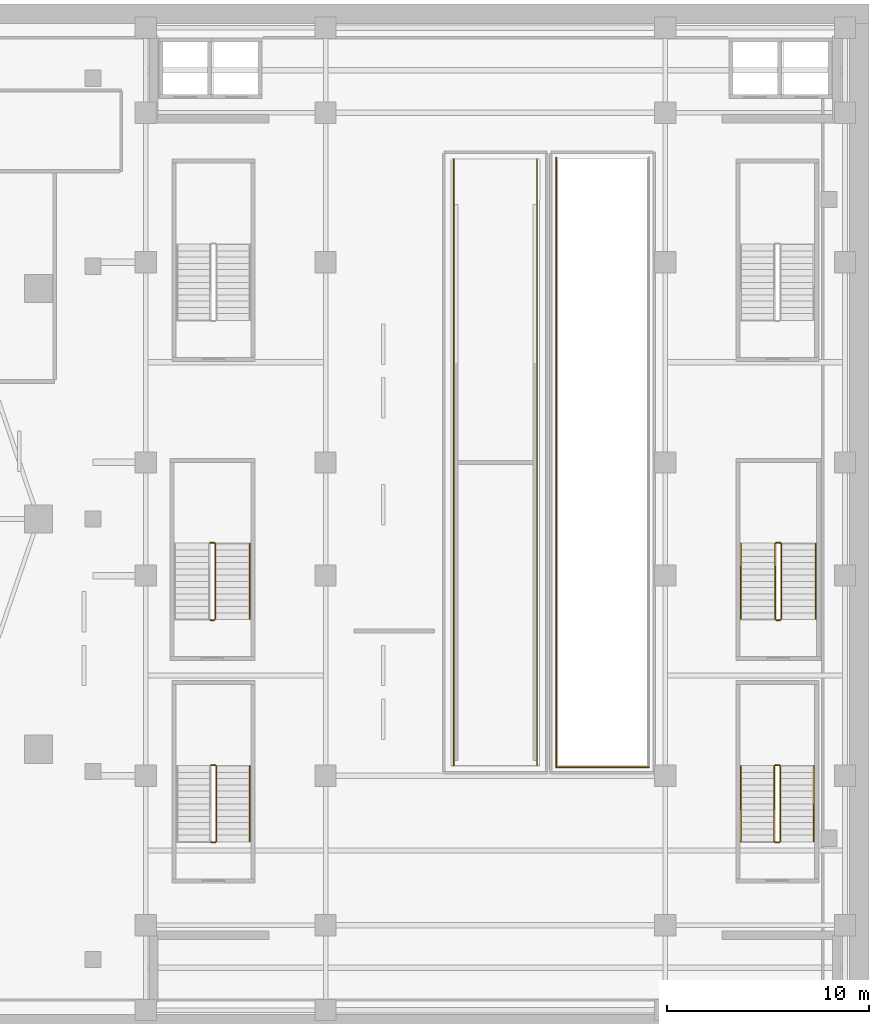
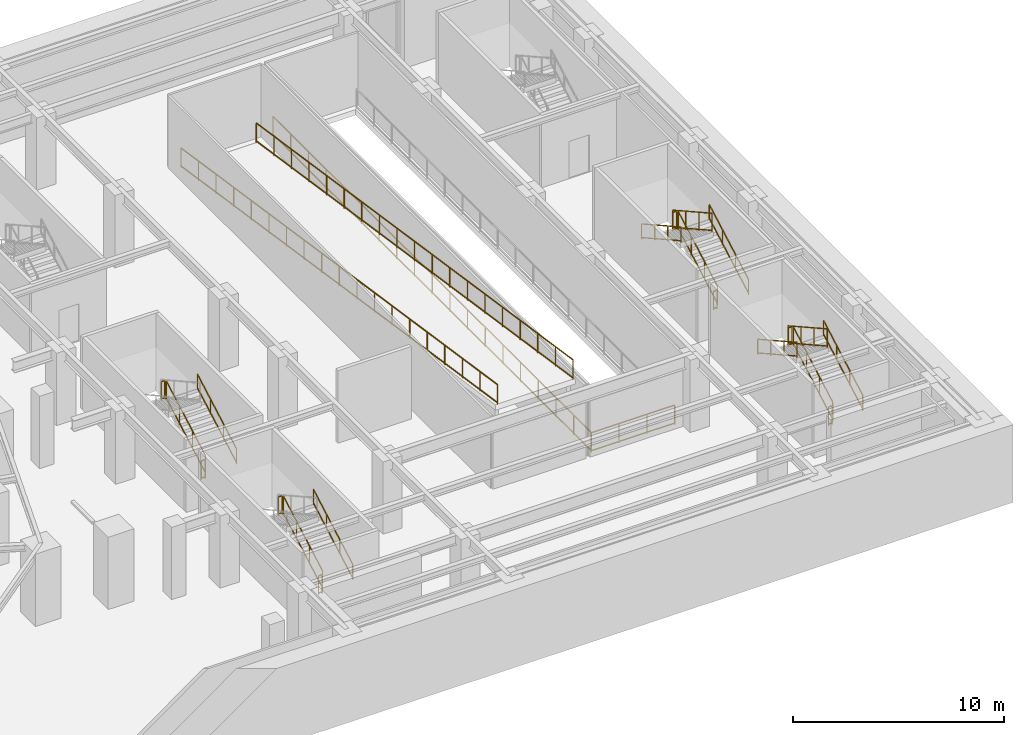
# One storey, part 15 of 16: 24 railings.
"""IFC4 building model written with IfcOpenShell, lengths in metres."""

from ifc_helpers import new_model, si_unit, direction, frame, origin, origin_2d, place, context, subcontext, project, spatial, rectangle, extrude, material, type_object, element, save


model = new_model("IFC4")

# Units and contexts
model_context = context("Model", 3, precision=1e-05, world=origin(), true_north=direction((0.0, 1.0)))
body_context = subcontext(model_context, "Body", "Model", "MODEL_VIEW")
ifc_project = project(units=[si_unit("LENGTHUNIT", "METRE"), si_unit("AREAUNIT", "SQUARE_METRE"), si_unit("VOLUMEUNIT", "CUBIC_METRE"), si_unit("PLANEANGLEUNIT", "RADIAN"), si_unit("MASSUNIT", "GRAM", prefix="KILO")], contexts=[model_context])

# Site, building, storey
site_placement = place(None, origin())
site = spatial("IfcSite", under=ifc_project, at=site_placement, CompositionType="ELEMENT")
building_placement = place(site_placement, origin())
building = spatial("IfcBuilding", under=site, at=building_placement, Name="Kolvaren Gate Tower and Convention Centre", CompositionType="ELEMENT")
storey_placement = place(building_placement, frame((0.0, 0.0, -9.0)))
storey = spatial("IfcBuildingStorey", under=building, at=storey_placement, Name="B2", CompositionType="ELEMENT", Elevation=-9.0)

# Railings
ifc_material = material(Name="Brushed Stainless Steel Grade 316L", Category="steel")
railing_type_1 = type_object("IfcRailingType", Name="ARCH-RL-GUARD-1150", PredefinedType="GUARDRAIL", material=ifc_material)
railing_1_placement = place(storey_placement, frame((66.199951171875, 11.050048828125, 0.173095703125)))
element("IfcRailing", 1, at=railing_1_placement, inside=storey, type_object=railing_type_1, Name="B2 ST-C2 stair guard 1", PredefinedType="GUARDRAIL", context=body_context, shape_type="SweptSolid", body=[
    extrude(rectangle(XDim=0.048095703125, YDim=0.048095703125, at=origin_2d()), frame((0.0, 0.0, 1.076171875), z_axis=(0.0, 0.873133609054, 0.487480974747), x_axis=(-1.0, 0.0, 0.0)), (0.0, 0.0, 1.0), 4.260498046875),
    extrude(rectangle(XDim=0.048095703125, YDim=0.048095703125, at=origin_2d()), frame((0.0, 0.0, 0.083984375), z_axis=(0.0, 0.873133609054, 0.487480974747), x_axis=(-1.0, 0.0, 0.0)), (0.0, 0.0, 1.0), 4.260498046875),
    extrude(rectangle(XDim=0.0419921875, YDim=0.0419921875, at=origin_2d()), origin(), (0.0, 0.0, 1.0), 1.050048828125),
    extrude(rectangle(XDim=0.0419921875, YDim=0.0419921875, at=origin_2d()), frame((0.0, 3.719970703125, 2.076904296875)), (0.0, 0.0, 1.0), 1.050048828125),
    extrude(rectangle(XDim=0.0419921875, YDim=0.0419921875, at=origin_2d()), frame((0.0, 1.239990234375, 0.6923828125)), (0.0, 0.0, 1.0), 1.050048828125),
    extrude(rectangle(XDim=0.0419921875, YDim=0.0419921875, at=origin_2d()), frame((0.0, 2.47998046875, 1.384521484375)), (0.0, 0.0, 1.0), 1.050048828125),
])
for number, where, name in (
    (2, (66.14990234375, 14.820068359375, 2.25), "B2 ST-C2 stair guard 2"),
    (3, (66.14990234375, 11.0, 0.0), "B2 ST-C2 stair guard 4"),
):
    element("IfcRailing", number, at=place(storey_placement, frame(where)), inside=storey, type_object=railing_type_1, Name=name, PredefinedType="GUARDRAIL", context=body_context, shape_type="SweptSolid", body=[
        extrude(rectangle(XDim=0.048095703125, YDim=0.048095703125, at=origin_2d()), frame((0.0, 0.0, 1.076171875), z_axis=(-1.0, 0.0, 0.0), x_axis=(0.0, -1.0, 0.0)), (0.0, 0.0, 1.0), 0.199951171875),
        extrude(rectangle(XDim=0.048095703125, YDim=0.048095703125, at=origin_2d()), frame((0.0, 0.0, 0.083984375), z_axis=(-1.0, 0.0, 0.0), x_axis=(0.0, -1.0, 0.0)), (0.0, 0.0, 1.0), 0.199951171875),
        extrude(rectangle(XDim=0.0419921875, YDim=0.0419921875, at=origin_2d()), origin(), (0.0, 0.0, 1.0), 1.050048828125),
        extrude(rectangle(XDim=0.0419921875, YDim=0.0419921875, at=origin_2d()), frame((-0.199951171875, 0.0, 0.0)), (0.0, 0.0, 1.0), 1.050048828125),
    ])
railing_2_placement = place(storey_placement, frame((94.10009765625, 11.050048828125, 0.173095703125)))
element("IfcRailing", 4, at=railing_2_placement, inside=storey, type_object=railing_type_1, Name="B2 ST-C4 stair guard 1", PredefinedType="GUARDRAIL", context=body_context, shape_type="SweptSolid", body=[
    extrude(rectangle(XDim=0.048095703125, YDim=0.048095703125, at=origin_2d()), frame((0.0, 0.0, 1.076171875), z_axis=(0.0, 0.873133609054, 0.487480974747), x_axis=(-1.0, 0.0, 0.0)), (0.0, 0.0, 1.0), 4.260498046875),
    extrude(rectangle(XDim=0.048095703125, YDim=0.048095703125, at=origin_2d()), frame((0.0, 0.0, 0.083984375), z_axis=(0.0, 0.873133609054, 0.487480974747), x_axis=(-1.0, 0.0, 0.0)), (0.0, 0.0, 1.0), 4.260498046875),
    extrude(rectangle(XDim=0.0419921875, YDim=0.0419921875, at=origin_2d()), origin(), (0.0, 0.0, 1.0), 1.050048828125),
    extrude(rectangle(XDim=0.0419921875, YDim=0.0419921875, at=origin_2d()), frame((0.0, 3.719970703125, 2.076904296875)), (0.0, 0.0, 1.0), 1.050048828125),
    extrude(rectangle(XDim=0.0419921875, YDim=0.0419921875, at=origin_2d()), frame((0.0, 1.239990234375, 0.6923828125)), (0.0, 0.0, 1.0), 1.050048828125),
    extrude(rectangle(XDim=0.0419921875, YDim=0.0419921875, at=origin_2d()), frame((0.0, 2.47998046875, 1.384521484375)), (0.0, 0.0, 1.0), 1.050048828125),
])
railing_3_placement = place(storey_placement, frame((94.050048828125, 14.820068359375, 2.25)))
element("IfcRailing", 5, at=railing_3_placement, inside=storey, type_object=railing_type_1, Name="B2 ST-C4 stair guard 2", PredefinedType="GUARDRAIL", context=body_context, shape_type="SweptSolid", body=[
    extrude(rectangle(XDim=0.048095703125, YDim=0.048095703125, at=origin_2d()), frame((0.0, 0.0, 1.076171875), z_axis=(-1.0, 0.0, 0.0), x_axis=(0.0, -1.0, 0.0)), (0.0, 0.0, 1.0), 0.199951171875),
    extrude(rectangle(XDim=0.048095703125, YDim=0.048095703125, at=origin_2d()), frame((0.0, 0.0, 0.083984375), z_axis=(-1.0, 0.0, 0.0), x_axis=(0.0, -1.0, 0.0)), (0.0, 0.0, 1.0), 0.199951171875),
    extrude(rectangle(XDim=0.0419921875, YDim=0.0419921875, at=origin_2d()), origin(), (0.0, 0.0, 1.0), 1.050048828125),
    extrude(rectangle(XDim=0.0419921875, YDim=0.0419921875, at=origin_2d()), frame((-0.199951171875, 0.0, 0.0)), (0.0, 0.0, 1.0), 1.050048828125),
])
railing_4_placement = place(storey_placement, frame((93.800048828125, 14.77001953125, 2.423095703125)))
element("IfcRailing", 6, at=railing_4_placement, inside=storey, type_object=railing_type_1, Name="B2 ST-C4 stair guard 3", PredefinedType="GUARDRAIL", context=body_context, shape_type="SweptSolid", body=[
    extrude(rectangle(XDim=0.048095703125, YDim=0.048095703125, at=origin_2d()), frame((0.0, 0.0, 1.076171875), z_axis=(0.0, -0.873133609054, 0.487480974747), x_axis=(1.0, 0.0, 0.0)), (0.0, 0.0, 1.0), 4.260498046875),
    extrude(rectangle(XDim=0.048095703125, YDim=0.048095703125, at=origin_2d()), frame((0.0, 0.0, 0.083984375), z_axis=(0.0, -0.873133609054, 0.487480974747), x_axis=(1.0, 0.0, 0.0)), (0.0, 0.0, 1.0), 4.260498046875),
    extrude(rectangle(XDim=0.0419921875, YDim=0.0419921875, at=origin_2d()), origin(), (0.0, 0.0, 1.0), 1.050048828125),
    extrude(rectangle(XDim=0.0419921875, YDim=0.0419921875, at=origin_2d()), frame((0.0, -3.719970703125, 2.076904296875)), (0.0, 0.0, 1.0), 1.050048828125),
    extrude(rectangle(XDim=0.0419921875, YDim=0.0419921875, at=origin_2d()), frame((0.0, -1.239990234375, 0.6923828125)), (0.0, 0.0, 1.0), 1.050048828125),
    extrude(rectangle(XDim=0.0419921875, YDim=0.0419921875, at=origin_2d()), frame((0.0, -2.47998046875, 1.384521484375)), (0.0, 0.0, 1.0), 1.050048828125),
])
railing_5_placement = place(storey_placement, frame((94.050048828125, 11.0, 0.0)))
element("IfcRailing", 7, at=railing_5_placement, inside=storey, type_object=railing_type_1, Name="B2 ST-C4 stair guard 4", PredefinedType="GUARDRAIL", context=body_context, shape_type="SweptSolid", body=[
    extrude(rectangle(XDim=0.048095703125, YDim=0.048095703125, at=origin_2d()), frame((0.0, 0.0, 1.076171875), z_axis=(-1.0, 0.0, 0.0), x_axis=(0.0, -1.0, 0.0)), (0.0, 0.0, 1.0), 0.199951171875),
    extrude(rectangle(XDim=0.048095703125, YDim=0.048095703125, at=origin_2d()), frame((0.0, 0.0, 0.083984375), z_axis=(-1.0, 0.0, 0.0), x_axis=(0.0, -1.0, 0.0)), (0.0, 0.0, 1.0), 0.199951171875),
    extrude(rectangle(XDim=0.0419921875, YDim=0.0419921875, at=origin_2d()), origin(), (0.0, 0.0, 1.0), 1.050048828125),
    extrude(rectangle(XDim=0.0419921875, YDim=0.0419921875, at=origin_2d()), frame((-0.199951171875, 0.0, 0.0)), (0.0, 0.0, 1.0), 1.050048828125),
])
railing_6_placement = place(storey_placement, frame((66.14990234375, 22.050048828125, 0.173095703125)))
element("IfcRailing", 8, at=railing_6_placement, inside=storey, type_object=railing_type_1, Name="B2 ST-C5 stair guard 1", PredefinedType="GUARDRAIL", context=body_context, shape_type="SweptSolid", body=[
    extrude(rectangle(XDim=0.048095703125, YDim=0.048095703125, at=origin_2d()), frame((0.0, 0.0, 1.076171875), z_axis=(0.0, 0.873133609054, 0.487480974747), x_axis=(-1.0, 0.0, 0.0)), (0.0, 0.0, 1.0), 4.260498046875),
    extrude(rectangle(XDim=0.048095703125, YDim=0.048095703125, at=origin_2d()), frame((0.0, 0.0, 0.083984375), z_axis=(0.0, 0.873133609054, 0.487480974747), x_axis=(-1.0, 0.0, 0.0)), (0.0, 0.0, 1.0), 4.260498046875),
    extrude(rectangle(XDim=0.0419921875, YDim=0.0419921875, at=origin_2d()), origin(), (0.0, 0.0, 1.0), 1.050048828125),
    extrude(rectangle(XDim=0.0419921875, YDim=0.0419921875, at=origin_2d()), frame((0.0, 3.719970703125, 2.076904296875)), (0.0, 0.0, 1.0), 1.050048828125),
    extrude(rectangle(XDim=0.0419921875, YDim=0.0419921875, at=origin_2d()), frame((0.0, 1.239990234375, 0.6923828125)), (0.0, 0.0, 1.0), 1.050048828125),
    extrude(rectangle(XDim=0.0419921875, YDim=0.0419921875, at=origin_2d()), frame((0.0, 2.47998046875, 1.384521484375)), (0.0, 0.0, 1.0), 1.050048828125),
])
for number, where, name in (
    (9, (66.10009765625, 25.820068359375, 2.25), "B2 ST-C5 stair guard 2"),
    (10, (66.10009765625, 22.0, 0.0), "B2 ST-C5 stair guard 4"),
):
    element("IfcRailing", number, at=place(storey_placement, frame(where)), inside=storey, type_object=railing_type_1, Name=name, PredefinedType="GUARDRAIL", context=body_context, shape_type="SweptSolid", body=[
        extrude(rectangle(XDim=0.048095703125, YDim=0.048095703125, at=origin_2d()), frame((0.0, 0.0, 1.076171875), z_axis=(-1.0, 0.0, 0.0), x_axis=(0.0, -1.0, 0.0)), (0.0, 0.0, 1.0), 0.2001953125),
        extrude(rectangle(XDim=0.048095703125, YDim=0.048095703125, at=origin_2d()), frame((0.0, 0.0, 0.083984375), z_axis=(-1.0, 0.0, 0.0), x_axis=(0.0, -1.0, 0.0)), (0.0, 0.0, 1.0), 0.2001953125),
        extrude(rectangle(XDim=0.0419921875, YDim=0.0419921875, at=origin_2d()), origin(), (0.0, 0.0, 1.0), 1.050048828125),
        extrude(rectangle(XDim=0.0419921875, YDim=0.0419921875, at=origin_2d()), frame((-0.2001953125, 0.0, 0.0)), (0.0, 0.0, 1.0), 1.050048828125),
    ])
railing_7_placement = place(storey_placement, frame((94.14990234375, 22.050048828125, 0.173095703125)))
element("IfcRailing", 11, at=railing_7_placement, inside=storey, type_object=railing_type_1, Name="B2 ST-C6 stair guard 1", PredefinedType="GUARDRAIL", context=body_context, shape_type="SweptSolid", body=[
    extrude(rectangle(XDim=0.048095703125, YDim=0.048095703125, at=origin_2d()), frame((0.0, 0.0, 1.076171875), z_axis=(0.0, 0.873133609054, 0.487480974747), x_axis=(-1.0, 0.0, 0.0)), (0.0, 0.0, 1.0), 4.260498046875),
    extrude(rectangle(XDim=0.048095703125, YDim=0.048095703125, at=origin_2d()), frame((0.0, 0.0, 0.083984375), z_axis=(0.0, 0.873133609054, 0.487480974747), x_axis=(-1.0, 0.0, 0.0)), (0.0, 0.0, 1.0), 4.260498046875),
    extrude(rectangle(XDim=0.0419921875, YDim=0.0419921875, at=origin_2d()), origin(), (0.0, 0.0, 1.0), 1.050048828125),
    extrude(rectangle(XDim=0.0419921875, YDim=0.0419921875, at=origin_2d()), frame((0.0, 3.719970703125, 2.076904296875)), (0.0, 0.0, 1.0), 1.050048828125),
    extrude(rectangle(XDim=0.0419921875, YDim=0.0419921875, at=origin_2d()), frame((0.0, 1.239990234375, 0.6923828125)), (0.0, 0.0, 1.0), 1.050048828125),
    extrude(rectangle(XDim=0.0419921875, YDim=0.0419921875, at=origin_2d()), frame((0.0, 2.47998046875, 1.384521484375)), (0.0, 0.0, 1.0), 1.050048828125),
])
railing_8_placement = place(storey_placement, frame((94.10009765625, 25.820068359375, 2.25)))
element("IfcRailing", 12, at=railing_8_placement, inside=storey, type_object=railing_type_1, Name="B2 ST-C6 stair guard 2", PredefinedType="GUARDRAIL", context=body_context, shape_type="SweptSolid", body=[
    extrude(rectangle(XDim=0.048095703125, YDim=0.048095703125, at=origin_2d()), frame((0.0, 0.0, 1.076171875), z_axis=(-1.0, 0.0, 0.0), x_axis=(0.0, -1.0, 0.0)), (0.0, 0.0, 1.0), 0.2001953125),
    extrude(rectangle(XDim=0.048095703125, YDim=0.048095703125, at=origin_2d()), frame((0.0, 0.0, 0.083984375), z_axis=(-1.0, 0.0, 0.0), x_axis=(0.0, -1.0, 0.0)), (0.0, 0.0, 1.0), 0.2001953125),
    extrude(rectangle(XDim=0.0419921875, YDim=0.0419921875, at=origin_2d()), origin(), (0.0, 0.0, 1.0), 1.050048828125),
    extrude(rectangle(XDim=0.0419921875, YDim=0.0419921875, at=origin_2d()), frame((-0.2001953125, 0.0, 0.0)), (0.0, 0.0, 1.0), 1.050048828125),
])
railing_9_placement = place(storey_placement, frame((93.85009765625, 25.77001953125, 2.423095703125)))
element("IfcRailing", 13, at=railing_9_placement, inside=storey, type_object=railing_type_1, Name="B2 ST-C6 stair guard 3", PredefinedType="GUARDRAIL", context=body_context, shape_type="SweptSolid", body=[
    extrude(rectangle(XDim=0.048095703125, YDim=0.048095703125, at=origin_2d()), frame((0.0, 0.0, 1.076171875), z_axis=(0.0, -0.873133609054, 0.487480974747), x_axis=(1.0, 0.0, 0.0)), (0.0, 0.0, 1.0), 4.260498046875),
    extrude(rectangle(XDim=0.048095703125, YDim=0.048095703125, at=origin_2d()), frame((0.0, 0.0, 0.083984375), z_axis=(0.0, -0.873133609054, 0.487480974747), x_axis=(1.0, 0.0, 0.0)), (0.0, 0.0, 1.0), 4.260498046875),
    extrude(rectangle(XDim=0.0419921875, YDim=0.0419921875, at=origin_2d()), origin(), (0.0, 0.0, 1.0), 1.050048828125),
    extrude(rectangle(XDim=0.0419921875, YDim=0.0419921875, at=origin_2d()), frame((0.0, -3.719970703125, 2.076904296875)), (0.0, 0.0, 1.0), 1.050048828125),
    extrude(rectangle(XDim=0.0419921875, YDim=0.0419921875, at=origin_2d()), frame((0.0, -1.239990234375, 0.6923828125)), (0.0, 0.0, 1.0), 1.050048828125),
    extrude(rectangle(XDim=0.0419921875, YDim=0.0419921875, at=origin_2d()), frame((0.0, -2.47998046875, 1.384521484375)), (0.0, 0.0, 1.0), 1.050048828125),
])
railing_10_placement = place(storey_placement, frame((94.10009765625, 22.0, 0.0)))
element("IfcRailing", 14, at=railing_10_placement, inside=storey, type_object=railing_type_1, Name="B2 ST-C6 stair guard 4", PredefinedType="GUARDRAIL", context=body_context, shape_type="SweptSolid", body=[
    extrude(rectangle(XDim=0.048095703125, YDim=0.048095703125, at=origin_2d()), frame((0.0, 0.0, 1.076171875), z_axis=(-1.0, 0.0, 0.0), x_axis=(0.0, -1.0, 0.0)), (0.0, 0.0, 1.0), 0.2001953125),
    extrude(rectangle(XDim=0.048095703125, YDim=0.048095703125, at=origin_2d()), frame((0.0, 0.0, 0.083984375), z_axis=(-1.0, 0.0, 0.0), x_axis=(0.0, -1.0, 0.0)), (0.0, 0.0, 1.0), 0.2001953125),
    extrude(rectangle(XDim=0.0419921875, YDim=0.0419921875, at=origin_2d()), origin(), (0.0, 0.0, 1.0), 1.050048828125),
    extrude(rectangle(XDim=0.0419921875, YDim=0.0419921875, at=origin_2d()), frame((-0.2001953125, 0.0, 0.0)), (0.0, 0.0, 1.0), 1.050048828125),
])
railing_11_placement = place(storey_placement, frame((77.93994140625, 44.800048828125, 0.0)))
element("IfcRailing", 15, at=railing_11_placement, inside=storey, type_object=railing_type_1, Name="Basement B2 to B1 Car Park Vehicle Ramp Slab R2 Pitched Perimeter Guardrail 1", PredefinedType="GUARDRAIL", context=body_context, shape_type="SweptSolid", body=[
    extrude(rectangle(XDim=0.048095703125, YDim=0.048095703125, at=origin_2d()), frame((0.0, 0.0, 1.1259765625), z_axis=(0.0, -0.988936352868, 0.14834045293), x_axis=(1.0, 0.0, 0.0)), (0.0, 0.0, 1.0), 30.335693359375),
    extrude(rectangle(XDim=0.048095703125, YDim=0.048095703125, at=origin_2d()), frame((0.0, 0.0, 0.083984375), z_axis=(0.0, -0.988936352868, 0.14834045293), x_axis=(1.0, 0.0, 0.0)), (0.0, 0.0, 1.0), 30.335693359375),
    extrude(rectangle(XDim=0.0419921875, YDim=0.0419921875, at=origin_2d()), origin(), (0.0, 0.0, 1.0), 1.099853515625),
    extrude(rectangle(XDim=0.0419921875, YDim=0.0419921875, at=origin_2d()), frame((0.0, -30.0, 4.5)), (0.0, 0.0, 1.0), 1.099853515625),
    extrude(rectangle(XDim=0.0419921875, YDim=0.0419921875, at=origin_2d()), frame((0.0, -1.666748046875, 0.25)), (0.0, 0.0, 1.0), 1.099853515625),
    extrude(rectangle(XDim=0.0419921875, YDim=0.0419921875, at=origin_2d()), frame((0.0, -3.333251953125, 0.5)), (0.0, 0.0, 1.0), 1.099853515625),
    extrude(rectangle(XDim=0.0419921875, YDim=0.0419921875, at=origin_2d()), frame((0.0, -5.0, 0.75)), (0.0, 0.0, 1.0), 1.099853515625),
    extrude(rectangle(XDim=0.0419921875, YDim=0.0419921875, at=origin_2d()), frame((0.0, -6.666748046875, 1.0)), (0.0, 0.0, 1.0), 1.099853515625),
    extrude(rectangle(XDim=0.0419921875, YDim=0.0419921875, at=origin_2d()), frame((0.0, -8.333251953125, 1.25)), (0.0, 0.0, 1.0), 1.099853515625),
    extrude(rectangle(XDim=0.0419921875, YDim=0.0419921875, at=origin_2d()), frame((0.0, -10.0, 1.5)), (0.0, 0.0, 1.0), 1.099853515625),
    extrude(rectangle(XDim=0.0419921875, YDim=0.0419921875, at=origin_2d()), frame((0.0, -11.666748046875, 1.75)), (0.0, 0.0, 1.0), 1.099853515625),
    extrude(rectangle(XDim=0.0419921875, YDim=0.0419921875, at=origin_2d()), frame((0.0, -13.333251953125, 2.0)), (0.0, 0.0, 1.0), 1.099853515625),
    extrude(rectangle(XDim=0.0419921875, YDim=0.0419921875, at=origin_2d()), frame((0.0, -15.0, 2.25)), (0.0, 0.0, 1.0), 1.099853515625),
    extrude(rectangle(XDim=0.0419921875, YDim=0.0419921875, at=origin_2d()), frame((0.0, -16.666748046875, 2.5)), (0.0, 0.0, 1.0), 1.099853515625),
    extrude(rectangle(XDim=0.0419921875, YDim=0.0419921875, at=origin_2d()), frame((0.0, -18.333251953125, 2.75)), (0.0, 0.0, 1.0), 1.099853515625),
    extrude(rectangle(XDim=0.0419921875, YDim=0.0419921875, at=origin_2d()), frame((0.0, -20.0, 3.0)), (0.0, 0.0, 1.0), 1.099853515625),
    extrude(rectangle(XDim=0.0419921875, YDim=0.0419921875, at=origin_2d()), frame((0.0, -21.666748046875, 3.25)), (0.0, 0.0, 1.0), 1.099853515625),
    extrude(rectangle(XDim=0.0419921875, YDim=0.0419921875, at=origin_2d()), frame((0.0, -23.333251953125, 3.5)), (0.0, 0.0, 1.0), 1.099853515625),
    extrude(rectangle(XDim=0.0419921875, YDim=0.0419921875, at=origin_2d()), frame((0.0, -25.0, 3.75)), (0.0, 0.0, 1.0), 1.099853515625),
    extrude(rectangle(XDim=0.0419921875, YDim=0.0419921875, at=origin_2d()), frame((0.0, -26.666748046875, 4.0)), (0.0, 0.0, 1.0), 1.099853515625),
    extrude(rectangle(XDim=0.0419921875, YDim=0.0419921875, at=origin_2d()), frame((0.0, -28.333251953125, 4.25)), (0.0, 0.0, 1.0), 1.099853515625),
])
railing_12_placement = place(storey_placement, frame((82.06005859375, 44.800048828125, 0.0)))
element("IfcRailing", 16, at=railing_12_placement, inside=storey, type_object=railing_type_1, Name="Basement B2 to B1 Car Park Vehicle Ramp Slab R2 Pitched Perimeter Guardrail 2", PredefinedType="GUARDRAIL", context=body_context, shape_type="SweptSolid", body=[
    extrude(rectangle(XDim=0.048095703125, YDim=0.048095703125, at=origin_2d()), frame((0.0, 0.0, 1.1259765625), z_axis=(0.0, -0.988936352868, 0.14834045293), x_axis=(1.0, 0.0, 0.0)), (0.0, 0.0, 1.0), 30.335693359375),
    extrude(rectangle(XDim=0.048095703125, YDim=0.048095703125, at=origin_2d()), frame((0.0, 0.0, 0.083984375), z_axis=(0.0, -0.988936352868, 0.14834045293), x_axis=(1.0, 0.0, 0.0)), (0.0, 0.0, 1.0), 30.335693359375),
    extrude(rectangle(XDim=0.0419921875, YDim=0.0419921875, at=origin_2d()), origin(), (0.0, 0.0, 1.0), 1.099853515625),
    extrude(rectangle(XDim=0.0419921875, YDim=0.0419921875, at=origin_2d()), frame((0.0, -30.0, 4.5)), (0.0, 0.0, 1.0), 1.099853515625),
    extrude(rectangle(XDim=0.0419921875, YDim=0.0419921875, at=origin_2d()), frame((0.0, -1.666748046875, 0.25)), (0.0, 0.0, 1.0), 1.099853515625),
    extrude(rectangle(XDim=0.0419921875, YDim=0.0419921875, at=origin_2d()), frame((0.0, -3.333251953125, 0.5)), (0.0, 0.0, 1.0), 1.099853515625),
    extrude(rectangle(XDim=0.0419921875, YDim=0.0419921875, at=origin_2d()), frame((0.0, -5.0, 0.75)), (0.0, 0.0, 1.0), 1.099853515625),
    extrude(rectangle(XDim=0.0419921875, YDim=0.0419921875, at=origin_2d()), frame((0.0, -6.666748046875, 1.0)), (0.0, 0.0, 1.0), 1.099853515625),
    extrude(rectangle(XDim=0.0419921875, YDim=0.0419921875, at=origin_2d()), frame((0.0, -8.333251953125, 1.25)), (0.0, 0.0, 1.0), 1.099853515625),
    extrude(rectangle(XDim=0.0419921875, YDim=0.0419921875, at=origin_2d()), frame((0.0, -10.0, 1.5)), (0.0, 0.0, 1.0), 1.099853515625),
    extrude(rectangle(XDim=0.0419921875, YDim=0.0419921875, at=origin_2d()), frame((0.0, -11.666748046875, 1.75)), (0.0, 0.0, 1.0), 1.099853515625),
    extrude(rectangle(XDim=0.0419921875, YDim=0.0419921875, at=origin_2d()), frame((0.0, -13.333251953125, 2.0)), (0.0, 0.0, 1.0), 1.099853515625),
    extrude(rectangle(XDim=0.0419921875, YDim=0.0419921875, at=origin_2d()), frame((0.0, -15.0, 2.25)), (0.0, 0.0, 1.0), 1.099853515625),
    extrude(rectangle(XDim=0.0419921875, YDim=0.0419921875, at=origin_2d()), frame((0.0, -16.666748046875, 2.5)), (0.0, 0.0, 1.0), 1.099853515625),
    extrude(rectangle(XDim=0.0419921875, YDim=0.0419921875, at=origin_2d()), frame((0.0, -18.333251953125, 2.75)), (0.0, 0.0, 1.0), 1.099853515625),
    extrude(rectangle(XDim=0.0419921875, YDim=0.0419921875, at=origin_2d()), frame((0.0, -20.0, 3.0)), (0.0, 0.0, 1.0), 1.099853515625),
    extrude(rectangle(XDim=0.0419921875, YDim=0.0419921875, at=origin_2d()), frame((0.0, -21.666748046875, 3.25)), (0.0, 0.0, 1.0), 1.099853515625),
    extrude(rectangle(XDim=0.0419921875, YDim=0.0419921875, at=origin_2d()), frame((0.0, -23.333251953125, 3.5)), (0.0, 0.0, 1.0), 1.099853515625),
    extrude(rectangle(XDim=0.0419921875, YDim=0.0419921875, at=origin_2d()), frame((0.0, -25.0, 3.75)), (0.0, 0.0, 1.0), 1.099853515625),
    extrude(rectangle(XDim=0.0419921875, YDim=0.0419921875, at=origin_2d()), frame((0.0, -26.666748046875, 4.0)), (0.0, 0.0, 1.0), 1.099853515625),
    extrude(rectangle(XDim=0.0419921875, YDim=0.0419921875, at=origin_2d()), frame((0.0, -28.333251953125, 4.25)), (0.0, 0.0, 1.0), 1.099853515625),
])
railing_13_placement = place(storey_placement, frame((83.02001953125, 14.719970703125, 0.0)))
element("IfcRailing", 17, at=railing_13_placement, inside=storey, type_object=railing_type_1, Name="Basement B3 to B2 Car Park Vehicle Ramp Slab R3 Floor Opening Perimeter Guardrail 1", PredefinedType="GUARDRAIL", context=body_context, shape_type="SweptSolid", body=[
    extrude(rectangle(XDim=0.048095703125, YDim=0.048095703125, at=origin_2d()), frame((0.0, 0.0, 1.1259765625), z_axis=(0.0, 1.0, 0.0), x_axis=(-1.0, 0.0, 0.0)), (0.0, 0.0, 1.0), 30.159912109375),
    extrude(rectangle(XDim=0.048095703125, YDim=0.048095703125, at=origin_2d()), frame((0.0, 0.0, 0.083984375), z_axis=(0.0, 1.0, 0.0), x_axis=(-1.0, 0.0, 0.0)), (0.0, 0.0, 1.0), 30.159912109375),
    extrude(rectangle(XDim=0.0419921875, YDim=0.0419921875, at=origin_2d()), origin(), (0.0, 0.0, 1.0), 1.099853515625),
    extrude(rectangle(XDim=0.0419921875, YDim=0.0419921875, at=origin_2d()), frame((0.0, 30.159912109375, 0.0)), (0.0, 0.0, 1.0), 1.099853515625),
    extrude(rectangle(XDim=0.0419921875, YDim=0.0419921875, at=origin_2d()), frame((0.0, 1.675537109375, 0.0)), (0.0, 0.0, 1.0), 1.099853515625),
    extrude(rectangle(XDim=0.0419921875, YDim=0.0419921875, at=origin_2d()), frame((0.0, 3.35107421875, 0.0)), (0.0, 0.0, 1.0), 1.099853515625),
    extrude(rectangle(XDim=0.0419921875, YDim=0.0419921875, at=origin_2d()), frame((0.0, 5.026611328125, 0.0)), (0.0, 0.0, 1.0), 1.099853515625),
    extrude(rectangle(XDim=0.0419921875, YDim=0.0419921875, at=origin_2d()), frame((0.0, 6.7021484375, 0.0)), (0.0, 0.0, 1.0), 1.099853515625),
    extrude(rectangle(XDim=0.0419921875, YDim=0.0419921875, at=origin_2d()), frame((0.0, 8.377685546875, 0.0)), (0.0, 0.0, 1.0), 1.099853515625),
    extrude(rectangle(XDim=0.0419921875, YDim=0.0419921875, at=origin_2d()), frame((0.0, 10.05322265625, 0.0)), (0.0, 0.0, 1.0), 1.099853515625),
    extrude(rectangle(XDim=0.0419921875, YDim=0.0419921875, at=origin_2d()), frame((0.0, 11.728759765625, 0.0)), (0.0, 0.0, 1.0), 1.099853515625),
    extrude(rectangle(XDim=0.0419921875, YDim=0.0419921875, at=origin_2d()), frame((0.0, 13.404296875, 0.0)), (0.0, 0.0, 1.0), 1.099853515625),
    extrude(rectangle(XDim=0.0419921875, YDim=0.0419921875, at=origin_2d()), frame((0.0, 15.080078125, 0.0)), (0.0, 0.0, 1.0), 1.099853515625),
    extrude(rectangle(XDim=0.0419921875, YDim=0.0419921875, at=origin_2d()), frame((0.0, 16.755615234375, 0.0)), (0.0, 0.0, 1.0), 1.099853515625),
    extrude(rectangle(XDim=0.0419921875, YDim=0.0419921875, at=origin_2d()), frame((0.0, 18.43115234375, 0.0)), (0.0, 0.0, 1.0), 1.099853515625),
    extrude(rectangle(XDim=0.0419921875, YDim=0.0419921875, at=origin_2d()), frame((0.0, 20.106689453125, 0.0)), (0.0, 0.0, 1.0), 1.099853515625),
    extrude(rectangle(XDim=0.0419921875, YDim=0.0419921875, at=origin_2d()), frame((0.0, 21.7822265625, 0.0)), (0.0, 0.0, 1.0), 1.099853515625),
    extrude(rectangle(XDim=0.0419921875, YDim=0.0419921875, at=origin_2d()), frame((0.0, 23.457763671875, 0.0)), (0.0, 0.0, 1.0), 1.099853515625),
    extrude(rectangle(XDim=0.0419921875, YDim=0.0419921875, at=origin_2d()), frame((0.0, 25.13330078125, 0.0)), (0.0, 0.0, 1.0), 1.099853515625),
    extrude(rectangle(XDim=0.0419921875, YDim=0.0419921875, at=origin_2d()), frame((0.0, 26.808837890625, 0.0)), (0.0, 0.0, 1.0), 1.099853515625),
    extrude(rectangle(XDim=0.0419921875, YDim=0.0419921875, at=origin_2d()), frame((0.0, 28.484375, 0.0)), (0.0, 0.0, 1.0), 1.099853515625),
])
railing_14_placement = place(storey_placement, frame((83.02001953125, 14.719970703125, 0.0)))
element("IfcRailing", 18, at=railing_14_placement, inside=storey, type_object=railing_type_1, Name="Basement B3 to B2 Car Park Vehicle Ramp Slab R3 Floor Opening Perimeter Guardrail 3", PredefinedType="GUARDRAIL", context=body_context, shape_type="SweptSolid", body=[
    extrude(rectangle(XDim=0.048095703125, YDim=0.048095703125, at=origin_2d()), frame((0.0, 0.0, 1.1259765625), z_axis=(1.0, 0.0, 0.0), x_axis=(0.0, 1.0, 0.0)), (0.0, 0.0, 1.0), 4.56005859375),
    extrude(rectangle(XDim=0.048095703125, YDim=0.048095703125, at=origin_2d()), frame((0.0, 0.0, 0.083984375), z_axis=(1.0, 0.0, 0.0), x_axis=(0.0, 1.0, 0.0)), (0.0, 0.0, 1.0), 4.56005859375),
    extrude(rectangle(XDim=0.0419921875, YDim=0.0419921875, at=origin_2d()), origin(), (0.0, 0.0, 1.0), 1.099853515625),
    extrude(rectangle(XDim=0.0419921875, YDim=0.0419921875, at=origin_2d()), frame((4.56005859375, 0.0, 0.0)), (0.0, 0.0, 1.0), 1.099853515625),
    extrude(rectangle(XDim=0.0419921875, YDim=0.0419921875, at=origin_2d()), frame((1.52001953125, 0.0, 0.0)), (0.0, 0.0, 1.0), 1.099853515625),
    extrude(rectangle(XDim=0.0419921875, YDim=0.0419921875, at=origin_2d()), frame((3.0400390625, 0.0, 0.0)), (0.0, 0.0, 1.0), 1.099853515625),
])
railing_type_2 = type_object("IfcRailingType", Name="ARCH-RL-HANDRAIL-920", PredefinedType="HANDRAIL", material=ifc_material)
for number, where, name in (
    (19, (67.85009765625, 11.050048828125, 0.173095703125), "B2 ST-C2 stair handrail 1"),
    (20, (95.75, 11.050048828125, 0.173095703125), "B2 ST-C4 stair handrail 1"),
):
    element("IfcRailing", number, at=place(storey_placement, frame(where)), inside=storey, type_object=railing_type_2, Name=name, PredefinedType="HANDRAIL", context=body_context, shape_type="SweptSolid", body=[
        extrude(rectangle(XDim=0.048095703125, YDim=0.048095703125, at=origin_2d()), frame((0.0, 0.0, 0.8759765625), z_axis=(0.0, 0.873133609054, 0.487480974747), x_axis=(-1.0, 0.0, 0.0)), (0.0, 0.0, 1.0), 4.260498046875),
        extrude(rectangle(XDim=0.048095703125, YDim=0.048095703125, at=origin_2d()), frame((0.0, 0.0, 0.083984375), z_axis=(0.0, 0.873133609054, 0.487480974747), x_axis=(-1.0, 0.0, 0.0)), (0.0, 0.0, 1.0), 4.260498046875),
        extrude(rectangle(XDim=0.0419921875, YDim=0.0419921875, at=origin_2d()), origin(), (0.0, 0.0, 1.0), 0.849853515625),
        extrude(rectangle(XDim=0.0419921875, YDim=0.0419921875, at=origin_2d()), frame((0.0, 3.719970703125, 2.076904296875)), (0.0, 0.0, 1.0), 0.849853515625),
        extrude(rectangle(XDim=0.0419921875, YDim=0.0419921875, at=origin_2d()), frame((0.0, 1.239990234375, 0.6923828125)), (0.0, 0.0, 1.0), 0.849853515625),
        extrude(rectangle(XDim=0.0419921875, YDim=0.0419921875, at=origin_2d()), frame((0.0, 2.47998046875, 1.384521484375)), (0.0, 0.0, 1.0), 0.849853515625),
    ])
railing_15_placement = place(storey_placement, frame((92.14990234375, 14.77001953125, 2.423095703125)))
element("IfcRailing", 21, at=railing_15_placement, inside=storey, type_object=railing_type_2, Name="B2 ST-C4 stair handrail 2", PredefinedType="HANDRAIL", context=body_context, shape_type="SweptSolid", body=[
    extrude(rectangle(XDim=0.048095703125, YDim=0.048095703125, at=origin_2d()), frame((0.0, 0.0, 0.8759765625), z_axis=(0.0, -0.873133609054, 0.487480974747), x_axis=(1.0, 0.0, 0.0)), (0.0, 0.0, 1.0), 4.260498046875),
    extrude(rectangle(XDim=0.048095703125, YDim=0.048095703125, at=origin_2d()), frame((0.0, 0.0, 0.083984375), z_axis=(0.0, -0.873133609054, 0.487480974747), x_axis=(1.0, 0.0, 0.0)), (0.0, 0.0, 1.0), 4.260498046875),
    extrude(rectangle(XDim=0.0419921875, YDim=0.0419921875, at=origin_2d()), origin(), (0.0, 0.0, 1.0), 0.849853515625),
    extrude(rectangle(XDim=0.0419921875, YDim=0.0419921875, at=origin_2d()), frame((0.0, -3.719970703125, 2.076904296875)), (0.0, 0.0, 1.0), 0.849853515625),
    extrude(rectangle(XDim=0.0419921875, YDim=0.0419921875, at=origin_2d()), frame((0.0, -1.239990234375, 0.6923828125)), (0.0, 0.0, 1.0), 0.849853515625),
    extrude(rectangle(XDim=0.0419921875, YDim=0.0419921875, at=origin_2d()), frame((0.0, -2.47998046875, 1.384521484375)), (0.0, 0.0, 1.0), 0.849853515625),
])
for number, where, name in (
    (22, (67.85009765625, 22.050048828125, 0.173095703125), "B2 ST-C5 stair handrail 1"),
    (23, (95.85009765625, 22.050048828125, 0.173095703125), "B2 ST-C6 stair handrail 1"),
):
    element("IfcRailing", number, at=place(storey_placement, frame(where)), inside=storey, type_object=railing_type_2, Name=name, PredefinedType="HANDRAIL", context=body_context, shape_type="SweptSolid", body=[
        extrude(rectangle(XDim=0.048095703125, YDim=0.048095703125, at=origin_2d()), frame((0.0, 0.0, 0.8759765625), z_axis=(0.0, 0.873133609054, 0.487480974747), x_axis=(-1.0, 0.0, 0.0)), (0.0, 0.0, 1.0), 4.260498046875),
        extrude(rectangle(XDim=0.048095703125, YDim=0.048095703125, at=origin_2d()), frame((0.0, 0.0, 0.083984375), z_axis=(0.0, 0.873133609054, 0.487480974747), x_axis=(-1.0, 0.0, 0.0)), (0.0, 0.0, 1.0), 4.260498046875),
        extrude(rectangle(XDim=0.0419921875, YDim=0.0419921875, at=origin_2d()), origin(), (0.0, 0.0, 1.0), 0.849853515625),
        extrude(rectangle(XDim=0.0419921875, YDim=0.0419921875, at=origin_2d()), frame((0.0, 3.719970703125, 2.076904296875)), (0.0, 0.0, 1.0), 0.849853515625),
        extrude(rectangle(XDim=0.0419921875, YDim=0.0419921875, at=origin_2d()), frame((0.0, 1.239990234375, 0.6923828125)), (0.0, 0.0, 1.0), 0.849853515625),
        extrude(rectangle(XDim=0.0419921875, YDim=0.0419921875, at=origin_2d()), frame((0.0, 2.47998046875, 1.384521484375)), (0.0, 0.0, 1.0), 0.849853515625),
    ])
railing_16_placement = place(storey_placement, frame((92.14990234375, 25.77001953125, 2.423095703125)))
element("IfcRailing", 24, at=railing_16_placement, inside=storey, type_object=railing_type_2, Name="B2 ST-C6 stair handrail 2", PredefinedType="HANDRAIL", context=body_context, shape_type="SweptSolid", body=[
    extrude(rectangle(XDim=0.048095703125, YDim=0.048095703125, at=origin_2d()), frame((0.0, 0.0, 0.8759765625), z_axis=(0.0, -0.873133609054, 0.487480974747), x_axis=(1.0, 0.0, 0.0)), (0.0, 0.0, 1.0), 4.260498046875),
    extrude(rectangle(XDim=0.048095703125, YDim=0.048095703125, at=origin_2d()), frame((0.0, 0.0, 0.083984375), z_axis=(0.0, -0.873133609054, 0.487480974747), x_axis=(1.0, 0.0, 0.0)), (0.0, 0.0, 1.0), 4.260498046875),
    extrude(rectangle(XDim=0.0419921875, YDim=0.0419921875, at=origin_2d()), origin(), (0.0, 0.0, 1.0), 0.849853515625),
    extrude(rectangle(XDim=0.0419921875, YDim=0.0419921875, at=origin_2d()), frame((0.0, -3.719970703125, 2.076904296875)), (0.0, 0.0, 1.0), 0.849853515625),
    extrude(rectangle(XDim=0.0419921875, YDim=0.0419921875, at=origin_2d()), frame((0.0, -1.239990234375, 0.6923828125)), (0.0, 0.0, 1.0), 0.849853515625),
    extrude(rectangle(XDim=0.0419921875, YDim=0.0419921875, at=origin_2d()), frame((0.0, -2.47998046875, 1.384521484375)), (0.0, 0.0, 1.0), 0.849853515625),
])

save(model, "model.ifc")
